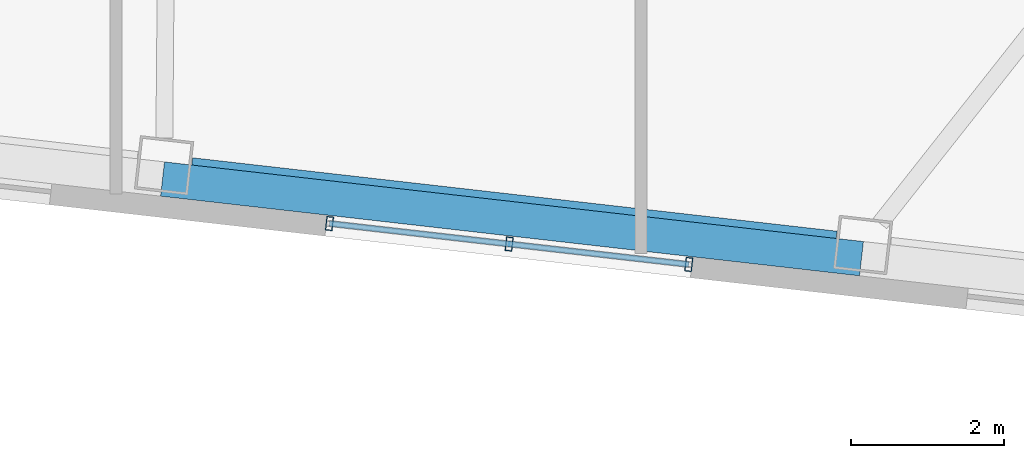
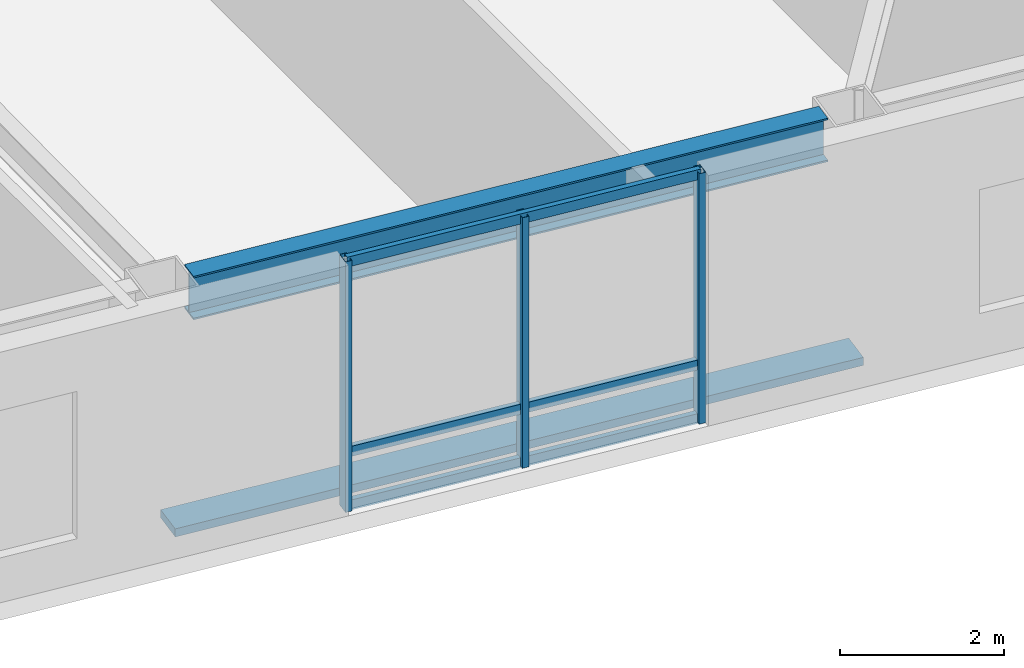
# One storey, part 4 of 20: 7 members, 1 beam, 1 element without a shape of its own.
"""IFC4 building model written with IfcOpenShell, lengths in metres."""

from ifc_helpers import new_model, si_unit, direction, frame, origin, origin_2d, place, context, subcontext, project, spatial, rectangle, hollow_rectangle, i_section, extrude, material, layer, layer_set, material_profile, profile_set, type_object, element, aggregate, save


model = new_model("IFC4")

# Units and contexts
model_context = context("Model", 3, precision=1e-05, world=origin(), true_north=direction((0.0, 1.0)))
body_context = subcontext(model_context, "Body", "Model", "MODEL_VIEW")
ifc_project = project(units=[si_unit("LENGTHUNIT", "METRE"), si_unit("AREAUNIT", "SQUARE_METRE"), si_unit("VOLUMEUNIT", "CUBIC_METRE"), si_unit("PLANEANGLEUNIT", "RADIAN"), si_unit("MASSUNIT", "GRAM", prefix="KILO")], contexts=[model_context])

# Site, building, storey
site_placement = place(None, origin())
site = spatial("IfcSite", under=ifc_project, at=site_placement, CompositionType="ELEMENT")
building_placement = place(site_placement, origin())
building = spatial("IfcBuilding", under=site, at=building_placement, Name="Tavrogorsk Clinical Tower", CompositionType="ELEMENT")
storey_placement = place(building_placement, frame((0.0, 0.0, 105.39990234375)))
storey = spatial("IfcBuildingStorey", under=building, at=storey_placement, Name="L23", CompositionType="ELEMENT", Elevation=105.39990234375)

# Member
ifc_material_1 = material(Name="Anodised aluminium alloy AW-6063", Category="aluminium")
ifc_material_profile_1 = material_profile(ifc_material_1, rectangle(XDim=0.449951171875, YDim=0.1201171875, at=origin_2d()), Name="ALU-SUNSHADE-450x120")
ifc_profile_set_1 = profile_set([ifc_material_profile_1], Name="Anodised aluminium alloy AW-6063")
member_type_1 = type_object("IfcMemberType", Name="ChicagoSunshade_450x120", PredefinedType="USERDEFINED", material=ifc_profile_set_1)
member_1_placement = place(storey_placement, frame((4.208251953125, -26.463134765625, 0.18017578125), z_axis=(0.993569662511, -0.113222461274, 0.0), x_axis=(0.113222461274, 0.993569662511, 0.0)))
element("IfcMember", 1, at=member_1_placement, inside=storey, type_object=member_type_1, Name="L23 South Aluminium Sunshade S5", ObjectType="SUNSHADE", PredefinedType="USERDEFINED", context=body_context, shape_type="SweptSolid", body=[
    extrude(rectangle(XDim=0.449951171875, YDim=0.1201171875, at=origin_2d()), origin(), (0.0, 0.0, 1.0), 9.17724609375),
])

# Curtain wall, members
ifc_material_2 = material(Name="Anodised aluminium and triple IGU glazing", Category="aluminium")
ifc_layer = layer(ifc_material_2, 0.179931640625)
ifc_layer_set = layer_set([ifc_layer], Name="Anodised aluminium and triple IGU glazing")
curtain_wall_type = type_object("IfcCurtainWallType", Name="CW3_SouthSlot", PredefinedType="NOTDEFINED", material=ifc_layer_set)
curtain_wall_placement = place(storey_placement, origin())
curtain_wall = element("IfcCurtainWall", 2, at=curtain_wall_placement, inside=storey, type_object=curtain_wall_type, Name="L23 Curtain Wall CW-L23-S-SLOT-2", PredefinedType="NOTDEFINED")
ifc_material_3 = material(Name="Anodised aluminium alloy AW-6060", Category="aluminium")
ifc_material_profile_2 = material_profile(ifc_material_3, hollow_rectangle(XDim=0.090087890625, YDim=0.179931640625, WallThickness=0.00634765625, at=origin_2d()), Name="RHS-180x90x6.3")
ifc_profile_set_2 = profile_set([ifc_material_profile_2], Name="Anodised aluminium alloy AW-6060")
member_type_2 = type_object("IfcMemberType", Name="CwMullion_180x90", PredefinedType="MULLION", material=ifc_profile_set_2)
member_2_placement = place(storey_placement, frame((6.38623046875, -27.04345703125, 0.0), z_axis=(0.0, 0.0, 1.0), x_axis=(0.993571858269, -0.113203191016, 0.0)))
member_2 = element("IfcMember", 3, at=member_2_placement, type_object=member_type_2, Name="CW-L23-S-SLOT-2 Mullion 1", PredefinedType="MULLION", context=body_context, shape_type="SweptSolid", body=[
    extrude(hollow_rectangle(XDim=0.090087890625, YDim=0.179931640625, WallThickness=0.00634765625, at=origin_2d()), origin(), (0.0, 0.0, 1.0), 3.739990234375),
])
member_3_placement = place(storey_placement, frame((8.72998046875, -27.310546875, 0.0), z_axis=(0.0, 0.0, 1.0), x_axis=(0.993571858269, -0.113203191016, 0.0)))
member_3 = element("IfcMember", 4, at=member_3_placement, type_object=member_type_2, Name="CW-L23-S-SLOT-2 Mullion 2", PredefinedType="MULLION", context=body_context, shape_type="SweptSolid", body=[
    extrude(hollow_rectangle(XDim=0.090087890625, YDim=0.179931640625, WallThickness=0.00634765625, at=origin_2d()), origin(), (0.0, 0.0, 1.0), 3.739990234375),
])
member_4_placement = place(storey_placement, frame((11.07373046875, -27.57763671875, 0.0), z_axis=(0.0, 0.0, 1.0), x_axis=(0.993571858269, -0.113203191016, 0.0)))
member_4 = element("IfcMember", 5, at=member_4_placement, type_object=member_type_2, Name="CW-L23-S-SLOT-2 Mullion 3", PredefinedType="MULLION", context=body_context, shape_type="SweptSolid", body=[
    extrude(hollow_rectangle(XDim=0.090087890625, YDim=0.179931640625, WallThickness=0.00634765625, at=origin_2d()), origin(), (0.0, 0.0, 1.0), 3.739990234375),
])
ifc_material_4 = material(Name="Anodised aluminium alloy AW-6060", Category="aluminium")
ifc_material_profile_3 = material_profile(ifc_material_4, hollow_rectangle(XDim=0.074951171875, YDim=0.14990234375, WallThickness=0.0048828125, at=origin_2d()), Name="RHS-150x75x5")
ifc_profile_set_3 = profile_set([ifc_material_profile_3], Name="Anodised aluminium alloy AW-6060")
member_type_3 = type_object("IfcMemberType", Name="CwTransom_150x75", PredefinedType="USERDEFINED", material=ifc_profile_set_3)
member_5_placement = place(storey_placement, frame((6.38623046875, -27.04345703125, 0.050048828125), z_axis=(0.993569315854, -0.113225503286, 0.0), x_axis=(0.113225503286, 0.993569315854, 0.0)))
member_5 = element("IfcMember", 6, at=member_5_placement, type_object=member_type_3, Name="CW-L23-S-SLOT-2 Transom 1", ObjectType="TRANSOM", PredefinedType="USERDEFINED", context=body_context, shape_type="SweptSolid", body=[
    extrude(hollow_rectangle(XDim=0.074951171875, YDim=0.14990234375, WallThickness=0.0048828125, at=origin_2d()), origin(), (0.0, 0.0, 1.0), 4.7177734375),
])
member_6_placement = place(storey_placement, frame((6.38623046875, -27.04345703125, 0.85009765625), z_axis=(0.993569315854, -0.113225503286, 0.0), x_axis=(0.113225503286, 0.993569315854, 0.0)))
member_6 = element("IfcMember", 7, at=member_6_placement, type_object=member_type_3, Name="CW-L23-S-SLOT-2 Transom 2", ObjectType="TRANSOM", PredefinedType="USERDEFINED", context=body_context, shape_type="SweptSolid", body=[
    extrude(hollow_rectangle(XDim=0.074951171875, YDim=0.14990234375, WallThickness=0.0048828125, at=origin_2d()), origin(), (0.0, 0.0, 1.0), 4.7177734375),
])
member_7_placement = place(storey_placement, frame((6.38623046875, -27.04345703125, 3.690185546875), z_axis=(0.993569315854, -0.113225503286, 0.0), x_axis=(0.113225503286, 0.993569315854, 0.0)))
member_7 = element("IfcMember", 8, at=member_7_placement, type_object=member_type_3, Name="CW-L23-S-SLOT-2 Transom 3", ObjectType="TRANSOM", PredefinedType="USERDEFINED", context=body_context, shape_type="SweptSolid", body=[
    extrude(hollow_rectangle(XDim=0.074951171875, YDim=0.14990234375, WallThickness=0.0048828125, at=origin_2d()), origin(), (0.0, 0.0, 1.0), 4.7177734375),
])
aggregate(curtain_wall, [member_2, member_3, member_4, member_5, member_6, member_7])

# Beam
ifc_material_5 = material(Name="Structural steel S390", Category="steel")
ifc_material_profile_4 = material_profile(ifc_material_5, i_section(OverallWidth=0.280029296875, OverallDepth=0.64990234375, WebThickness=0.01611328125, FlangeThickness=0.02490234375, at=origin_2d()), Name="B-650x280x16x25")
ifc_profile_set_4 = profile_set([ifc_material_profile_4], Name="Structural steel S390")
beam_type = type_object("IfcBeamType", Name="SpandrelBeam_B650", PredefinedType="SPANDREL", material=ifc_profile_set_4)
beam_placement = place(storey_placement, frame((4.584228515625, -26.324951171875, 3.4150390625), z_axis=(0.99357306506, -0.113192598642, 0.0), x_axis=(0.113192598642, 0.99357306506, 0.0)))
element("IfcBeam", 9, at=beam_placement, inside=storey, type_object=beam_type, Name="L23 Perimeter Spandrel S5-S6", PredefinedType="SPANDREL", context=body_context, shape_type="SweptSolid", body=[
    extrude(i_section(OverallWidth=0.280029296875, OverallDepth=0.64990234375, WebThickness=0.01611328125, FlangeThickness=0.02490234375, at=origin_2d()), origin(), (0.0, 0.0, 1.0), 8.46142578125),
])

save(model, "model.ifc")
